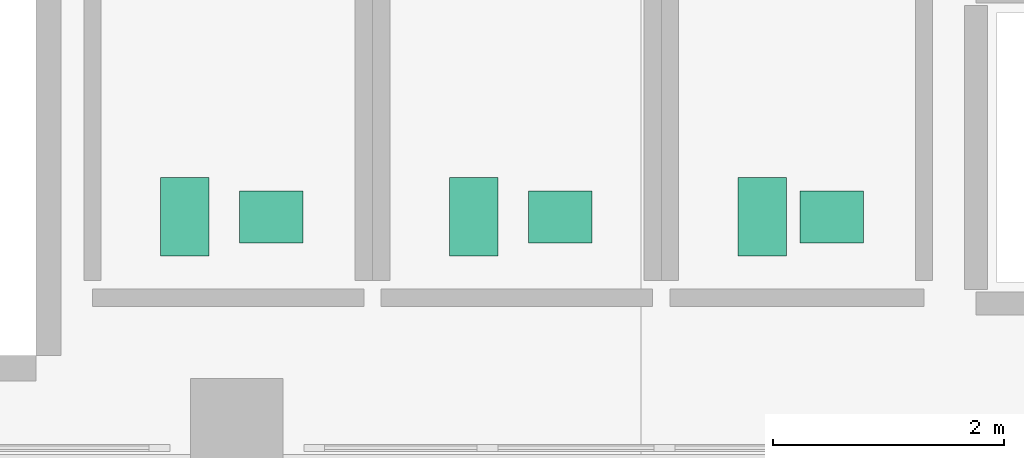
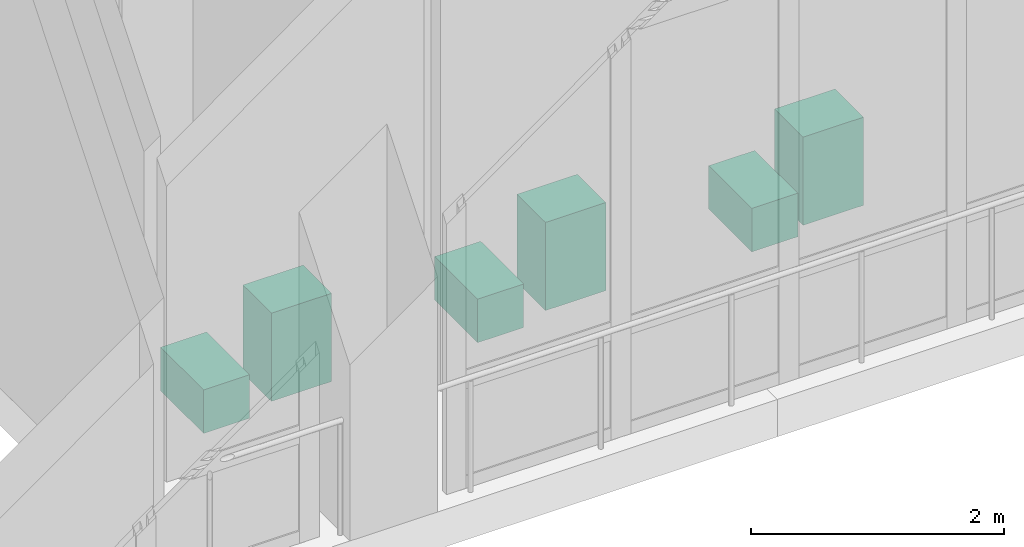
# One storey, part 55 of 55: 6 sanitary terminals.
"""IFC4 building model written with IfcOpenShell, lengths in metres."""

from ifc_helpers import new_model, si_unit, derived_unit, direction, frame, origin, origin_2d, place, context, subcontext, project, spatial, rectangle, extrude, material, type_object, element, save


model = new_model("IFC4")

# Units and contexts
model_context = context("Model", 3, precision=1e-05, world=origin(), true_north=direction((0.0, 1.0)))
body_context = subcontext(model_context, "Body", "Model", "MODEL_VIEW")
ifc_project = project(units=[si_unit("LENGTHUNIT", "METRE"), si_unit("AREAUNIT", "SQUARE_METRE"), si_unit("VOLUMEUNIT", "CUBIC_METRE"), si_unit("PLANEANGLEUNIT", "RADIAN"), si_unit("MASSUNIT", "GRAM", prefix="KILO"), derived_unit("THERMALTRANSMITTANCEUNIT", [(si_unit("MASSUNIT", "GRAM", prefix="KILO"), 1), (si_unit("TIMEUNIT", "SECOND"), -3), (si_unit("THERMODYNAMICTEMPERATUREUNIT", "KELVIN"), -1)])], contexts=[model_context])

# Site, building, storey
site_placement = place(None, origin())
site = spatial("IfcSite", under=ifc_project, at=site_placement, CompositionType="ELEMENT")
building_placement = place(site_placement, origin())
building = spatial("IfcBuilding", under=site, at=building_placement, Name="Valcora Ridge Arena", CompositionType="ELEMENT")
storey_placement = place(building_placement, frame((0.0, 0.0, 21.0)))
storey = spatial("IfcBuildingStorey", under=building, at=storey_placement, Name="L04", CompositionType="ELEMENT", Elevation=21.0)

# Sanitary terminals
ifc_material = material(Name="Vitreous china sanitary ceramic")
sanitary_terminal_type_1 = type_object("IfcSanitaryTerminalType", Name="TY-SANITARYTERMINAL-BASIN-PED-01", PredefinedType="WASHHANDBASIN", material=ifc_material)
for number, where, z_axis, x_axis, name in (
    (1, (58.300048828125, 22.199951171875, 0.0), (0.0, 0.0, 1.0), (1.0, 0.0, 0.0), "BASIN-PED-01 SAN-BS-0028"),
    (2, (60.800048828125, 22.199951171875, 0.0), (0.0, 0.0, 1.0), (1.0, 0.0, 0.0), "BASIN-PED-01 SAN-BS-0029"),
    (3, (63.14990234375, 22.199951171875, 0.0), (0.0, 0.0, 1.0), (1.0, 0.0, 0.0), "BASIN-PED-01 SAN-BS-0030"),
):
    element("IfcSanitaryTerminal", number, at=place(storey_placement, frame(where, z_axis=z_axis, x_axis=x_axis)), inside=storey, type_object=sanitary_terminal_type_1, Name=name, PredefinedType="WASHHANDBASIN", context=body_context, shape_type="SweptSolid", body=[
        extrude(rectangle(XDim=0.550048828125, YDim=0.449951171875, at=origin_2d()), origin(), (0.0, 0.0, 1.0), 0.85009765625),
    ])
sanitary_terminal_type_2 = type_object("IfcSanitaryTerminalType", Name="TY-SANITARYTERMINAL-WC-PAN-01", PredefinedType="TOILETPAN", material=ifc_material)
for number, where, z_axis, x_axis, name in (
    (4, (57.550048828125, 22.199951171875, 0.0), (0.0, 0.0, 1.0), (1.0, 0.0, 0.0), "WC-PAN-01 SAN-WC-0028"),
    (5, (60.050048828125, 22.199951171875, 0.0), (0.0, 0.0, 1.0), (1.0, 0.0, 0.0), "WC-PAN-01 SAN-WC-0029"),
    (6, (62.550048828125, 22.199951171875, 0.0), (0.0, 0.0, 1.0), (1.0, 0.0, 0.0), "WC-PAN-01 SAN-WC-0030"),
):
    element("IfcSanitaryTerminal", number, at=place(storey_placement, frame(where, z_axis=z_axis, x_axis=x_axis)), inside=storey, type_object=sanitary_terminal_type_2, Name=name, PredefinedType="TOILETPAN", context=body_context, shape_type="SweptSolid", body=[
        extrude(rectangle(XDim=0.419921875, YDim=0.679931640625, at=origin_2d()), origin(), (0.0, 0.0, 1.0), 0.419921875),
    ])

save(model, "model.ifc")
